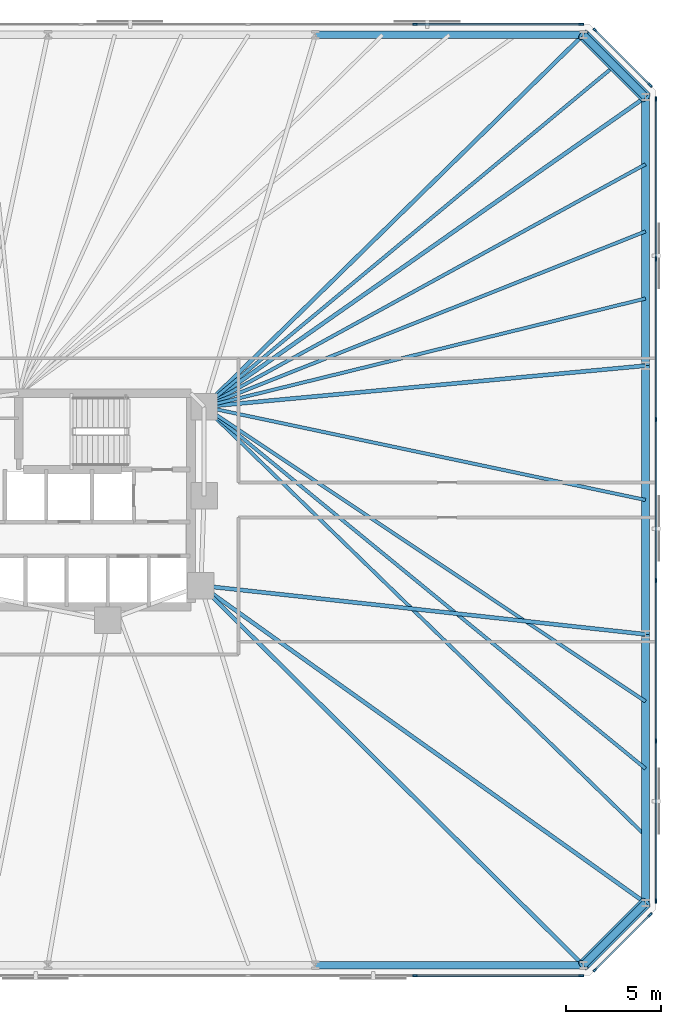
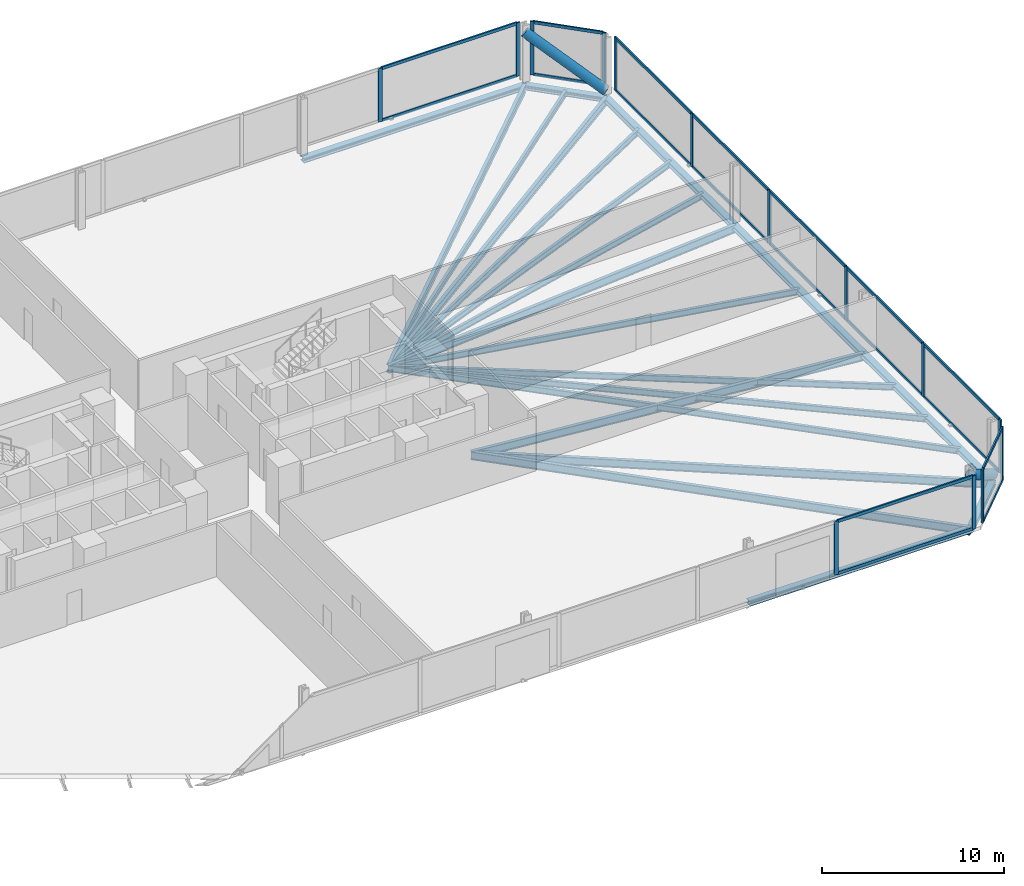
# One storey, part 10 of 16: 34 members, 21 beams, 5 elements without a shape of their own.
"""IFC4 building model written with IfcOpenShell, lengths in metres."""

from ifc_helpers import new_model, si_unit, direction, frame, origin, origin_2d, place, context, subcontext, project, spatial, rectangle, hollow_circle, i_section, extrude, material, material_profile, profile_set, type_object, element, aggregate, save


model = new_model("IFC4")

# Units and contexts
model_context = context("Model", 3, precision=1e-05, world=origin(), true_north=direction((0.0, 1.0)))
body_context = subcontext(model_context, "Body", "Model", "MODEL_VIEW")
ifc_project = project(units=[si_unit("LENGTHUNIT", "METRE"), si_unit("AREAUNIT", "SQUARE_METRE"), si_unit("VOLUMEUNIT", "CUBIC_METRE"), si_unit("PLANEANGLEUNIT", "RADIAN"), si_unit("MASSUNIT", "GRAM", prefix="KILO")], contexts=[model_context])

# Site, building, storey
site_placement = place(None, origin())
site = spatial("IfcSite", under=ifc_project, at=site_placement, CompositionType="ELEMENT")
building_placement = place(site_placement, origin())
building = spatial("IfcBuilding", under=site, at=building_placement, Name="Menara Jurai Vektor", CompositionType="ELEMENT")
storey_placement = place(building_placement, frame((0.0, 0.0, 14.199951171875)))
storey = spatial("IfcBuildingStorey", under=building, at=storey_placement, Name="L02", CompositionType="ELEMENT", Elevation=14.199951171875)

# Curtain wall, members
ifc_material_1 = material(Name="Anodised Pale Aluminium & Low-E Double Glazing", Category="aluminium")
curtain_wall_type = type_object("IfcCurtainWallType", Name="CW-BLK1", PredefinedType="NOTDEFINED", material=ifc_material_1)
curtain_wall_1_placement = place(storey_placement, origin())
curtain_wall_1 = element("IfcCurtainWall", 1, at=curtain_wall_1_placement, inside=storey, type_object=curtain_wall_type, Name="Unitised Curtain Wall L02 F01", PredefinedType="NOTDEFINED")
ifc_material_2 = material(Name="Anodised Pale Aluminium Mullion", Category="aluminium")
ifc_material_profile_1 = material_profile(ifc_material_2, rectangle(XDim=0.094970703125, YDim=0.239990234375, at=origin_2d()), Name="ALU MUL 95x240")
ifc_profile_set_1 = profile_set([ifc_material_profile_1], Name="Anodised Pale Aluminium Mullion")
member_type_1 = type_object("IfcMemberType", Name="CW-BLK1-MUL", PredefinedType="MULLION", material=ifc_profile_set_1)
member_1_placement = place(storey_placement, frame((26.340087890625, -25.0, 0.0), z_axis=(0.0, 0.0, 1.0), x_axis=(0.0, 1.0, 0.0)))
member_1 = element("IfcMember", 2, at=member_1_placement, type_object=member_type_1, Name="CW-01 mullion 8", PredefinedType="MULLION", context=body_context, shape_type="SweptSolid", body=[
    extrude(rectangle(XDim=0.094970703125, YDim=0.239990234375, at=origin_2d()), origin(), (0.0, 0.0, 1.0), 3.574951171875),
])
member_2_placement = place(storey_placement, frame((35.072509765625, -25.0, 0.0), z_axis=(0.0, 0.0, 1.0), x_axis=(0.0, 1.0, 0.0)))
member_2 = element("IfcMember", 3, at=member_2_placement, type_object=member_type_1, Name="CW-01 mullion 9", PredefinedType="MULLION", context=body_context, shape_type="SweptSolid", body=[
    extrude(rectangle(XDim=0.094970703125, YDim=0.239990234375, at=origin_2d()), origin(), (0.0, 0.0, 1.0), 3.574951171875),
])

curtain_wall_2_placement = place(storey_placement, origin())
curtain_wall_2 = element("IfcCurtainWall", 4, at=curtain_wall_2_placement, inside=storey, type_object=curtain_wall_type, Name="Unitised Curtain Wall L02 F02", PredefinedType="NOTDEFINED")
member_3_placement = place(storey_placement, frame((35.80224609375, -24.69775390625, 0.0), z_axis=(0.0, 0.0, 1.0), x_axis=(-0.707106781187, 0.707106781187, 0.0)))
member_3 = element("IfcMember", 5, at=member_3_placement, type_object=member_type_1, Name="CW-01 mullion 1", PredefinedType="MULLION", context=body_context, shape_type="SweptSolid", body=[
    extrude(rectangle(XDim=0.094970703125, YDim=0.239990234375, at=origin_2d()), origin(), (0.0, 0.0, 1.0), 3.574951171875),
])
member_4_placement = place(storey_placement, frame((38.69775390625, -21.80224609375, 0.0), z_axis=(0.0, 0.0, 1.0), x_axis=(-0.707106781187, 0.707106781187, 0.0)))
member_4 = element("IfcMember", 6, at=member_4_placement, type_object=member_type_1, Name="CW-01 mullion 2", PredefinedType="MULLION", context=body_context, shape_type="SweptSolid", body=[
    extrude(rectangle(XDim=0.094970703125, YDim=0.239990234375, at=origin_2d()), origin(), (0.0, 0.0, 1.0), 3.574951171875),
])

curtain_wall_3_placement = place(storey_placement, origin())
curtain_wall_3 = element("IfcCurtainWall", 7, at=curtain_wall_3_placement, inside=storey, type_object=curtain_wall_type, Name="Unitised Curtain Wall L02 F03", PredefinedType="NOTDEFINED")
member_5_placement = place(storey_placement, frame((39.0, -21.072509765625, 0.0), z_axis=(0.0, 0.0, 1.0), x_axis=(-1.0, 0.0, 0.0)))
member_5 = element("IfcMember", 8, at=member_5_placement, type_object=member_type_1, Name="CW-01 mullion 1", PredefinedType="MULLION", context=body_context, shape_type="SweptSolid", body=[
    extrude(rectangle(XDim=0.094970703125, YDim=0.239990234375, at=origin_2d()), origin(), (0.0, 0.0, 1.0), 3.574951171875),
])
member_6_placement = place(storey_placement, frame((39.0, -12.672119140625, 0.0), z_axis=(0.0, 0.0, 1.0), x_axis=(-1.0, 0.0, 0.0)))
member_6 = element("IfcMember", 9, at=member_6_placement, type_object=member_type_1, Name="CW-01 mullion 2", PredefinedType="MULLION", context=body_context, shape_type="SweptSolid", body=[
    extrude(rectangle(XDim=0.094970703125, YDim=0.239990234375, at=origin_2d()), origin(), (0.0, 0.0, 1.0), 3.574951171875),
])
member_7_placement = place(storey_placement, frame((39.0, -4.22412109375, 0.0), z_axis=(0.0, 0.0, 1.0), x_axis=(-1.0, 0.0, 0.0)))
member_7 = element("IfcMember", 10, at=member_7_placement, type_object=member_type_1, Name="CW-01 mullion 3", PredefinedType="MULLION", context=body_context, shape_type="SweptSolid", body=[
    extrude(rectangle(XDim=0.094970703125, YDim=0.239990234375, at=origin_2d()), origin(), (0.0, 0.0, 1.0), 3.574951171875),
])
member_8_placement = place(storey_placement, frame((39.0, 4.22412109375, 0.0), z_axis=(0.0, 0.0, 1.0), x_axis=(-1.0, 0.0, 0.0)))
member_8 = element("IfcMember", 11, at=member_8_placement, type_object=member_type_1, Name="CW-01 mullion 4", PredefinedType="MULLION", context=body_context, shape_type="SweptSolid", body=[
    extrude(rectangle(XDim=0.094970703125, YDim=0.239990234375, at=origin_2d()), origin(), (0.0, 0.0, 1.0), 3.574951171875),
])
member_9_placement = place(storey_placement, frame((39.0, 12.672119140625, 0.0), z_axis=(0.0, 0.0, 1.0), x_axis=(-1.0, 0.0, 0.0)))
member_9 = element("IfcMember", 12, at=member_9_placement, type_object=member_type_1, Name="CW-01 mullion 5", PredefinedType="MULLION", context=body_context, shape_type="SweptSolid", body=[
    extrude(rectangle(XDim=0.094970703125, YDim=0.239990234375, at=origin_2d()), origin(), (0.0, 0.0, 1.0), 3.574951171875),
])
member_10_placement = place(storey_placement, frame((39.0, 21.072509765625, 0.0), z_axis=(0.0, 0.0, 1.0), x_axis=(-1.0, 0.0, 0.0)))
member_10 = element("IfcMember", 13, at=member_10_placement, type_object=member_type_1, Name="CW-01 mullion 6", PredefinedType="MULLION", context=body_context, shape_type="SweptSolid", body=[
    extrude(rectangle(XDim=0.094970703125, YDim=0.239990234375, at=origin_2d()), origin(), (0.0, 0.0, 1.0), 3.574951171875),
])

curtain_wall_4_placement = place(storey_placement, origin())
curtain_wall_4 = element("IfcCurtainWall", 14, at=curtain_wall_4_placement, inside=storey, type_object=curtain_wall_type, Name="Unitised Curtain Wall L02 F04", PredefinedType="NOTDEFINED")
member_11_placement = place(storey_placement, frame((38.69775390625, 21.80224609375, 0.0), z_axis=(0.0, 0.0, 1.0), x_axis=(-0.707106781187, -0.707106781187, 0.0)))
member_11 = element("IfcMember", 15, at=member_11_placement, type_object=member_type_1, Name="CW-01 mullion 1", PredefinedType="MULLION", context=body_context, shape_type="SweptSolid", body=[
    extrude(rectangle(XDim=0.094970703125, YDim=0.239990234375, at=origin_2d()), origin(), (0.0, 0.0, 1.0), 3.574951171875),
])
member_12_placement = place(storey_placement, frame((35.80224609375, 24.69775390625, 0.0), z_axis=(0.0, 0.0, 1.0), x_axis=(-0.707106781187, -0.707106781187, 0.0)))
member_12 = element("IfcMember", 16, at=member_12_placement, type_object=member_type_1, Name="CW-01 mullion 2", PredefinedType="MULLION", context=body_context, shape_type="SweptSolid", body=[
    extrude(rectangle(XDim=0.094970703125, YDim=0.239990234375, at=origin_2d()), origin(), (0.0, 0.0, 1.0), 3.574951171875),
])

curtain_wall_5_placement = place(storey_placement, origin())
curtain_wall_5 = element("IfcCurtainWall", 17, at=curtain_wall_5_placement, inside=storey, type_object=curtain_wall_type, Name="Unitised Curtain Wall L02 F05", PredefinedType="NOTDEFINED")
member_13_placement = place(storey_placement, frame((35.072509765625, 25.0, 0.0), z_axis=(0.0, 0.0, 1.0), x_axis=(0.0, -1.0, 0.0)))
member_13 = element("IfcMember", 18, at=member_13_placement, type_object=member_type_1, Name="CW-01 mullion 1", PredefinedType="MULLION", context=body_context, shape_type="SweptSolid", body=[
    extrude(rectangle(XDim=0.094970703125, YDim=0.239990234375, at=origin_2d()), origin(), (0.0, 0.0, 1.0), 3.574951171875),
])
member_14_placement = place(storey_placement, frame((26.340087890625, 25.0, 0.0), z_axis=(0.0, 0.0, 1.0), x_axis=(0.0, -1.0, 0.0)))
member_14 = element("IfcMember", 19, at=member_14_placement, type_object=member_type_1, Name="CW-01 mullion 2", PredefinedType="MULLION", context=body_context, shape_type="SweptSolid", body=[
    extrude(rectangle(XDim=0.094970703125, YDim=0.239990234375, at=origin_2d()), origin(), (0.0, 0.0, 1.0), 3.574951171875),
])

# Member
ifc_material_3 = material(Name="Anodised Pale Aluminium Transom", Category="aluminium")
ifc_material_profile_2 = material_profile(ifc_material_3, rectangle(XDim=0.094970703125, YDim=0.199951171875, at=origin_2d()), Name="ALU TRN 95x200")
ifc_profile_set_2 = profile_set([ifc_material_profile_2], Name="Anodised Pale Aluminium Transom")
member_type_2 = type_object("IfcMemberType", Name="CW-BLK1-TRN", PredefinedType="USERDEFINED", material=ifc_profile_set_2)
member_15_placement = place(storey_placement, frame((26.387451171875, -25.0, 0.047607421875), z_axis=(1.0, 0.0, 0.0), x_axis=(0.0, 1.0, 0.0)))
member_15 = element("IfcMember", 20, at=member_15_placement, type_object=member_type_2, Name="CW-01 transom 8.1", ObjectType="TRANSOM", PredefinedType="USERDEFINED", context=body_context, shape_type="SweptSolid", body=[
    extrude(rectangle(XDim=0.094970703125, YDim=0.199951171875, at=origin_2d()), origin(), (0.0, 0.0, 1.0), 8.637451171875),
])

member_16_placement = place(storey_placement, frame((26.387451171875, -25.0, 3.527587890625), z_axis=(1.0, 0.0, 0.0), x_axis=(0.0, 1.0, 0.0)))
member_16 = element("IfcMember", 21, at=member_16_placement, type_object=member_type_2, Name="CW-01 transom 8.2", ObjectType="TRANSOM", PredefinedType="USERDEFINED", context=body_context, shape_type="SweptSolid", body=[
    extrude(rectangle(XDim=0.094970703125, YDim=0.199951171875, at=origin_2d()), origin(), (0.0, 0.0, 1.0), 8.637451171875),
])

aggregate(curtain_wall_1, [member_1, member_2, member_15, member_16])

member_17_placement = place(storey_placement, frame((35.8359375, -24.6640625, 0.047607421875), z_axis=(0.707106781187, 0.707106781187, 0.0), x_axis=(-0.707106781187, 0.707106781187, 0.0)))
member_17 = element("IfcMember", 22, at=member_17_placement, type_object=member_type_2, Name="CW-01 transom 1.1", ObjectType="TRANSOM", PredefinedType="USERDEFINED", context=body_context, shape_type="SweptSolid", body=[
    extrude(rectangle(XDim=0.094970703125, YDim=0.199951171875, at=origin_2d()), origin(), (0.0, 0.0, 1.0), 3.99951171875),
])

member_18_placement = place(storey_placement, frame((35.8359375, -24.6640625, 3.527587890625), z_axis=(0.707106781187, 0.707106781187, 0.0), x_axis=(-0.707106781187, 0.707106781187, 0.0)))
member_18 = element("IfcMember", 23, at=member_18_placement, type_object=member_type_2, Name="CW-01 transom 1.2", ObjectType="TRANSOM", PredefinedType="USERDEFINED", context=body_context, shape_type="SweptSolid", body=[
    extrude(rectangle(XDim=0.094970703125, YDim=0.199951171875, at=origin_2d()), origin(), (0.0, 0.0, 1.0), 3.99951171875),
])

aggregate(curtain_wall_2, [member_3, member_4, member_17, member_18])

member_19_placement = place(storey_placement, frame((39.0, -21.02490234375, 0.047607421875), z_axis=(0.0, 1.0, 0.0), x_axis=(-1.0, 0.0, 0.0)))
member_19 = element("IfcMember", 24, at=member_19_placement, type_object=member_type_2, Name="CW-01 transom 1.1", ObjectType="TRANSOM", PredefinedType="USERDEFINED", context=body_context, shape_type="SweptSolid", body=[
    extrude(rectangle(XDim=0.094970703125, YDim=0.199951171875, at=origin_2d()), origin(), (0.0, 0.0, 1.0), 8.305419921875),
])

member_20_placement = place(storey_placement, frame((39.0, -21.02490234375, 3.527587890625), z_axis=(0.0, 1.0, 0.0), x_axis=(-1.0, 0.0, 0.0)))
member_20 = element("IfcMember", 25, at=member_20_placement, type_object=member_type_2, Name="CW-01 transom 1.2", ObjectType="TRANSOM", PredefinedType="USERDEFINED", context=body_context, shape_type="SweptSolid", body=[
    extrude(rectangle(XDim=0.094970703125, YDim=0.199951171875, at=origin_2d()), origin(), (0.0, 0.0, 1.0), 8.305419921875),
])

member_21_placement = place(storey_placement, frame((39.0, -12.62451171875, 0.047607421875), z_axis=(0.0, 1.0, 0.0), x_axis=(-1.0, 0.0, 0.0)))
member_21 = element("IfcMember", 26, at=member_21_placement, type_object=member_type_2, Name="CW-01 transom 2.1", ObjectType="TRANSOM", PredefinedType="USERDEFINED", context=body_context, shape_type="SweptSolid", body=[
    extrude(rectangle(XDim=0.094970703125, YDim=0.199951171875, at=origin_2d()), origin(), (0.0, 0.0, 1.0), 8.35302734375),
])

member_22_placement = place(storey_placement, frame((39.0, -12.62451171875, 3.527587890625), z_axis=(0.0, 1.0, 0.0), x_axis=(-1.0, 0.0, 0.0)))
member_22 = element("IfcMember", 27, at=member_22_placement, type_object=member_type_2, Name="CW-01 transom 2.2", ObjectType="TRANSOM", PredefinedType="USERDEFINED", context=body_context, shape_type="SweptSolid", body=[
    extrude(rectangle(XDim=0.094970703125, YDim=0.199951171875, at=origin_2d()), origin(), (0.0, 0.0, 1.0), 8.35302734375),
])

member_23_placement = place(storey_placement, frame((39.0, -4.176513671875, 0.047607421875), z_axis=(0.0, 1.0, 0.0), x_axis=(-1.0, 0.0, 0.0)))
member_23 = element("IfcMember", 28, at=member_23_placement, type_object=member_type_2, Name="CW-01 transom 3.1", ObjectType="TRANSOM", PredefinedType="USERDEFINED", context=body_context, shape_type="SweptSolid", body=[
    extrude(rectangle(XDim=0.094970703125, YDim=0.199951171875, at=origin_2d()), origin(), (0.0, 0.0, 1.0), 8.35302734375),
])

member_24_placement = place(storey_placement, frame((39.0, -4.176513671875, 3.527587890625), z_axis=(0.0, 1.0, 0.0), x_axis=(-1.0, 0.0, 0.0)))
member_24 = element("IfcMember", 29, at=member_24_placement, type_object=member_type_2, Name="CW-01 transom 3.2", ObjectType="TRANSOM", PredefinedType="USERDEFINED", context=body_context, shape_type="SweptSolid", body=[
    extrude(rectangle(XDim=0.094970703125, YDim=0.199951171875, at=origin_2d()), origin(), (0.0, 0.0, 1.0), 8.35302734375),
])

member_25_placement = place(storey_placement, frame((39.0, 4.271484375, 0.047607421875), z_axis=(0.0, 1.0, 0.0), x_axis=(-1.0, 0.0, 0.0)))
member_25 = element("IfcMember", 30, at=member_25_placement, type_object=member_type_2, Name="CW-01 transom 4.1", ObjectType="TRANSOM", PredefinedType="USERDEFINED", context=body_context, shape_type="SweptSolid", body=[
    extrude(rectangle(XDim=0.094970703125, YDim=0.199951171875, at=origin_2d()), origin(), (0.0, 0.0, 1.0), 8.35302734375),
])

member_26_placement = place(storey_placement, frame((39.0, 4.271484375, 3.527587890625), z_axis=(0.0, 1.0, 0.0), x_axis=(-1.0, 0.0, 0.0)))
member_26 = element("IfcMember", 31, at=member_26_placement, type_object=member_type_2, Name="CW-01 transom 4.2", ObjectType="TRANSOM", PredefinedType="USERDEFINED", context=body_context, shape_type="SweptSolid", body=[
    extrude(rectangle(XDim=0.094970703125, YDim=0.199951171875, at=origin_2d()), origin(), (0.0, 0.0, 1.0), 8.35302734375),
])

member_27_placement = place(storey_placement, frame((39.0, 12.719482421875, 0.047607421875), z_axis=(0.0, 1.0, 0.0), x_axis=(-1.0, 0.0, 0.0)))
member_27 = element("IfcMember", 32, at=member_27_placement, type_object=member_type_2, Name="CW-01 transom 5.1", ObjectType="TRANSOM", PredefinedType="USERDEFINED", context=body_context, shape_type="SweptSolid", body=[
    extrude(rectangle(XDim=0.094970703125, YDim=0.199951171875, at=origin_2d()), origin(), (0.0, 0.0, 1.0), 8.305419921875),
])

member_28_placement = place(storey_placement, frame((39.0, 12.719482421875, 3.527587890625), z_axis=(0.0, 1.0, 0.0), x_axis=(-1.0, 0.0, 0.0)))
member_28 = element("IfcMember", 33, at=member_28_placement, type_object=member_type_2, Name="CW-01 transom 5.2", ObjectType="TRANSOM", PredefinedType="USERDEFINED", context=body_context, shape_type="SweptSolid", body=[
    extrude(rectangle(XDim=0.094970703125, YDim=0.199951171875, at=origin_2d()), origin(), (0.0, 0.0, 1.0), 8.305419921875),
])

aggregate(curtain_wall_3, [member_5, member_6, member_7, member_8, member_9, member_10, member_19, member_20, member_21, member_22, member_23, member_24, member_25, member_26, member_27, member_28])

member_29_placement = place(storey_placement, frame((38.6640625, 21.8359375, 0.047607421875), z_axis=(-0.707106781187, 0.707106781187, 0.0), x_axis=(-0.707106781187, -0.707106781187, 0.0)))
member_29 = element("IfcMember", 34, at=member_29_placement, type_object=member_type_2, Name="CW-01 transom 1.1", ObjectType="TRANSOM", PredefinedType="USERDEFINED", context=body_context, shape_type="SweptSolid", body=[
    extrude(rectangle(XDim=0.094970703125, YDim=0.199951171875, at=origin_2d()), origin(), (0.0, 0.0, 1.0), 3.99951171875),
])

member_30_placement = place(storey_placement, frame((38.6640625, 21.8359375, 3.527587890625), z_axis=(-0.707106781187, 0.707106781187, 0.0), x_axis=(-0.707106781187, -0.707106781187, 0.0)))
member_30 = element("IfcMember", 35, at=member_30_placement, type_object=member_type_2, Name="CW-01 transom 1.2", ObjectType="TRANSOM", PredefinedType="USERDEFINED", context=body_context, shape_type="SweptSolid", body=[
    extrude(rectangle(XDim=0.094970703125, YDim=0.199951171875, at=origin_2d()), origin(), (0.0, 0.0, 1.0), 3.99951171875),
])

aggregate(curtain_wall_4, [member_11, member_12, member_29, member_30])

member_31_placement = place(storey_placement, frame((35.02490234375, 25.0, 0.047607421875), z_axis=(-1.0, 0.0, 0.0), x_axis=(0.0, -1.0, 0.0)))
member_31 = element("IfcMember", 36, at=member_31_placement, type_object=member_type_2, Name="CW-01 transom 1.1", ObjectType="TRANSOM", PredefinedType="USERDEFINED", context=body_context, shape_type="SweptSolid", body=[
    extrude(rectangle(XDim=0.094970703125, YDim=0.199951171875, at=origin_2d()), origin(), (0.0, 0.0, 1.0), 8.637451171875),
])

member_32_placement = place(storey_placement, frame((35.02490234375, 25.0, 3.527587890625), z_axis=(-1.0, 0.0, 0.0), x_axis=(0.0, -1.0, 0.0)))
member_32 = element("IfcMember", 37, at=member_32_placement, type_object=member_type_2, Name="CW-01 transom 1.2", ObjectType="TRANSOM", PredefinedType="USERDEFINED", context=body_context, shape_type="SweptSolid", body=[
    extrude(rectangle(XDim=0.094970703125, YDim=0.199951171875, at=origin_2d()), origin(), (0.0, 0.0, 1.0), 8.637451171875),
])

aggregate(curtain_wall_5, [member_13, member_14, member_31, member_32])

# Beams
ifc_material_4 = material(Name="Steel S355", Category="steel")
ifc_material_profile_3 = material_profile(ifc_material_4, i_section(OverallWidth=0.2109375, OverallDepth=0.5390625, WebThickness=0.011962890625, FlangeThickness=0.01904296875, FilletRadius=0.012939453125, at=origin_2d()), Name="UKB 533x210x109")
ifc_profile_set_3 = profile_set([ifc_material_profile_3], Name="Steel S355")
beam_type_1 = type_object("IfcBeamType", Name="STR-BM-533", PredefinedType="BEAM", material=ifc_profile_set_3)
beam_1_placement = place(storey_placement, frame((35.177734375, -24.449951171875, -0.494384765625), z_axis=(-0.709709931659, 0.704494011972, 0.0), x_axis=(-0.704494011972, -0.709709931659, 0.0)))
element("IfcBeam", 38, at=beam_1_placement, inside=storey, type_object=beam_type_1, Name="Radial Floor Girder L02-S6", PredefinedType="BEAM", context=body_context, shape_type="SweptSolid", body=[
    extrude(i_section(OverallWidth=0.2109375, OverallDepth=0.5390625, WebThickness=0.011962890625, FlangeThickness=0.01904296875, FilletRadius=0.012939453125, at=origin_2d()), origin(), (0.0, 0.0, 1.0), 28.318115234375),
])
beam_2_placement = place(storey_placement, frame((38.449951171875, -21.177734375, -0.494384765625), z_axis=(-0.813981033216, 0.580891450759, 0.0), x_axis=(-0.580891450759, -0.813981033216, 0.0)))
element("IfcBeam", 39, at=beam_2_placement, inside=storey, type_object=beam_type_1, Name="Radial Floor Girder L02-E1", PredefinedType="BEAM", context=body_context, shape_type="SweptSolid", body=[
    extrude(i_section(OverallWidth=0.2109375, OverallDepth=0.5390625, WebThickness=0.011962890625, FlangeThickness=0.01904296875, FilletRadius=0.012939453125, at=origin_2d()), origin(), (0.0, 0.0, 1.0), 28.710693359375),
])
beam_3_placement = place(storey_placement, frame((38.449951171875, -7.059326171875, -0.494384765625), z_axis=(-0.994056757953, 0.108863042253, 0.0), x_axis=(-0.108863042253, -0.994056757953, 0.0)))
element("IfcBeam", 40, at=beam_3_placement, inside=storey, type_object=beam_type_1, Name="Radial Floor Girder L02-E2", PredefinedType="BEAM", context=body_context, shape_type="SweptSolid", body=[
    extrude(i_section(OverallWidth=0.2109375, OverallDepth=0.5390625, WebThickness=0.011962890625, FlangeThickness=0.01904296875, FilletRadius=0.012939453125, at=origin_2d()), origin(), (0.0, 0.0, 1.0), 23.509521484375),
])
beam_4_placement = place(storey_placement, frame((38.449951171875, 7.059326171875, -0.494384765625), z_axis=(-0.995696113112, -0.092678208514, 0.0), x_axis=(0.092678208514, -0.995696113112, 0.0)))
element("IfcBeam", 41, at=beam_4_placement, inside=storey, type_object=beam_type_1, Name="Radial Floor Girder L02-E3", PredefinedType="BEAM", context=body_context, shape_type="SweptSolid", body=[
    extrude(i_section(OverallWidth=0.2109375, OverallDepth=0.5390625, WebThickness=0.011962890625, FlangeThickness=0.01904296875, FilletRadius=0.012939453125, at=origin_2d()), origin(), (0.0, 0.0, 1.0), 23.30029296875),
])
beam_5_placement = place(storey_placement, frame((38.449951171875, 21.177734375, -0.494384765625), z_axis=(-0.818603732445, -0.574358711283, 0.0), x_axis=(0.574358711283, -0.818603732445, 0.0)))
element("IfcBeam", 42, at=beam_5_placement, inside=storey, type_object=beam_type_1, Name="Radial Floor Girder L02-E4", PredefinedType="BEAM", context=body_context, shape_type="SweptSolid", body=[
    extrude(i_section(OverallWidth=0.2109375, OverallDepth=0.5390625, WebThickness=0.011962890625, FlangeThickness=0.01904296875, FilletRadius=0.012939453125, at=origin_2d()), origin(), (0.0, 0.0, 1.0), 28.3408203125),
])
beam_6_placement = place(storey_placement, frame((35.177734375, 24.449951171875, -0.494384765625), z_axis=(-0.713839032855, -0.700309813706, 0.0), x_axis=(0.700309813706, -0.713839032855, 0.0)))
element("IfcBeam", 43, at=beam_6_placement, inside=storey, type_object=beam_type_1, Name="Radial Floor Girder L02-N1", PredefinedType="BEAM", context=body_context, shape_type="SweptSolid", body=[
    extrude(i_section(OverallWidth=0.2109375, OverallDepth=0.5390625, WebThickness=0.011962890625, FlangeThickness=0.01904296875, FilletRadius=0.012939453125, at=origin_2d()), origin(), (0.0, 0.0, 1.0), 27.916259765625),
])
ifc_material_5 = material(Name="Steel S460", Category="steel")
ifc_material_profile_4 = material_profile(ifc_material_5, i_section(OverallWidth=0.39697265625, OverallDepth=0.31591796875, WebThickness=0.030029296875, FlangeThickness=0.048095703125, FilletRadius=0.014892578125, at=origin_2d()), Name="HD 400x382")
ifc_profile_set_4 = profile_set([ifc_material_profile_4], Name="Steel S460")
beam_type_2 = type_object("IfcBeamType", Name="STR-BM-CHORD382", PredefinedType="SPANDREL", material=ifc_profile_set_4)
beam_7_placement = place(storey_placement, frame((21.106689453125, -24.449951171875, -0.383056640625), z_axis=(1.0, 0.0, 0.0), x_axis=(0.0, 1.0, 0.0)))
element("IfcBeam", 44, at=beam_7_placement, inside=storey, type_object=beam_type_2, Name="Exoskeleton Spandrel Beam L02-05", PredefinedType="SPANDREL", context=body_context, shape_type="SweptSolid", body=[
    extrude(i_section(OverallWidth=0.39697265625, OverallDepth=0.31591796875, WebThickness=0.030029296875, FlangeThickness=0.048095703125, FilletRadius=0.014892578125, at=origin_2d()), origin(), (0.0, 0.0, 1.0), 14.071044921875),
])
beam_8_placement = place(storey_placement, frame((35.177734375, -24.449951171875, -0.383056640625), z_axis=(0.707106781187, 0.707106781187, 0.0), x_axis=(-0.707106781187, 0.707106781187, 0.0)))
element("IfcBeam", 45, at=beam_8_placement, inside=storey, type_object=beam_type_2, Name="Exoskeleton Spandrel Beam L02-06", PredefinedType="SPANDREL", context=body_context, shape_type="SweptSolid", body=[
    extrude(i_section(OverallWidth=0.39697265625, OverallDepth=0.31591796875, WebThickness=0.030029296875, FlangeThickness=0.048095703125, FilletRadius=0.014892578125, at=origin_2d()), origin(), (0.0, 0.0, 1.0), 4.627685546875),
])
beam_9_placement = place(storey_placement, frame((38.449951171875, -21.177734375, -0.383056640625), z_axis=(0.0, 1.0, 0.0), x_axis=(-1.0, 0.0, 0.0)))
element("IfcBeam", 46, at=beam_9_placement, inside=storey, type_object=beam_type_2, Name="Exoskeleton Spandrel Beam L02-07", PredefinedType="SPANDREL", context=body_context, shape_type="SweptSolid", body=[
    extrude(i_section(OverallWidth=0.39697265625, OverallDepth=0.31591796875, WebThickness=0.030029296875, FlangeThickness=0.048095703125, FilletRadius=0.014892578125, at=origin_2d()), origin(), (0.0, 0.0, 1.0), 14.118408203125),
])
beam_10_placement = place(storey_placement, frame((38.449951171875, -7.059326171875, -0.383056640625), z_axis=(0.0, 1.0, 0.0), x_axis=(-1.0, 0.0, 0.0)))
element("IfcBeam", 47, at=beam_10_placement, inside=storey, type_object=beam_type_2, Name="Exoskeleton Spandrel Beam L02-08", PredefinedType="SPANDREL", context=body_context, shape_type="SweptSolid", body=[
    extrude(i_section(OverallWidth=0.39697265625, OverallDepth=0.31591796875, WebThickness=0.030029296875, FlangeThickness=0.048095703125, FilletRadius=0.014892578125, at=origin_2d()), origin(), (0.0, 0.0, 1.0), 14.11865234375),
])
beam_11_placement = place(storey_placement, frame((38.449951171875, 7.059326171875, -0.383056640625), z_axis=(0.0, 1.0, 0.0), x_axis=(-1.0, 0.0, 0.0)))
element("IfcBeam", 48, at=beam_11_placement, inside=storey, type_object=beam_type_2, Name="Exoskeleton Spandrel Beam L02-09", PredefinedType="SPANDREL", context=body_context, shape_type="SweptSolid", body=[
    extrude(i_section(OverallWidth=0.39697265625, OverallDepth=0.31591796875, WebThickness=0.030029296875, FlangeThickness=0.048095703125, FilletRadius=0.014892578125, at=origin_2d()), origin(), (0.0, 0.0, 1.0), 14.118408203125),
])
beam_12_placement = place(storey_placement, frame((38.449951171875, 21.177734375, -0.383056640625), z_axis=(-0.707106781187, 0.707106781187, 0.0), x_axis=(-0.707106781187, -0.707106781187, 0.0)))
element("IfcBeam", 49, at=beam_12_placement, inside=storey, type_object=beam_type_2, Name="Exoskeleton Spandrel Beam L02-10", PredefinedType="SPANDREL", context=body_context, shape_type="SweptSolid", body=[
    extrude(i_section(OverallWidth=0.39697265625, OverallDepth=0.31591796875, WebThickness=0.030029296875, FlangeThickness=0.048095703125, FilletRadius=0.014892578125, at=origin_2d()), origin(), (0.0, 0.0, 1.0), 4.627685546875),
])
beam_13_placement = place(storey_placement, frame((35.177734375, 24.449951171875, -0.383056640625), z_axis=(-1.0, 0.0, 0.0), x_axis=(0.0, -1.0, 0.0)))
element("IfcBeam", 50, at=beam_13_placement, inside=storey, type_object=beam_type_2, Name="Exoskeleton Spandrel Beam L02-11", PredefinedType="SPANDREL", context=body_context, shape_type="SweptSolid", body=[
    extrude(i_section(OverallWidth=0.39697265625, OverallDepth=0.31591796875, WebThickness=0.030029296875, FlangeThickness=0.048095703125, FilletRadius=0.014892578125, at=origin_2d()), origin(), (0.0, 0.0, 1.0), 14.071044921875),
])

# Members
ifc_material_profile_5 = material_profile(ifc_material_5, hollow_circle(Radius=0.304931640625, WallThickness=0.02490234375, at=origin_2d()), Name="CHS 610x25")
ifc_profile_set_5 = profile_set([ifc_material_profile_5], Name="Steel S460")
member_type_3 = type_object("IfcMemberType", Name="STR-BR-610", PredefinedType="BRACE", material=ifc_profile_set_5)
for number, where, z_axis, x_axis, name in (
    (51, (38.449951171875, -21.177734375, 0.150146484375), (-0.588942422958, -0.588942422958, 0.553438022619), (0.707106781187, -0.707106781187, 0.0), "Exoskeleton Corner Brace L02-1"),
    (52, (38.449951171875, 21.177734375, 0.150146484375), (-0.588942422958, 0.588942422958, 0.553438022619), (-0.707106781187, -0.707106781187, 0.0), "Exoskeleton Corner Brace L02-2"),
):
    element("IfcMember", number, at=place(storey_placement, frame(where, z_axis=z_axis, x_axis=x_axis)), inside=storey, type_object=member_type_3, Name=name, PredefinedType="BRACE", context=body_context, shape_type="SweptSolid", body=[
        extrude(hollow_circle(Radius=0.304931640625, WallThickness=0.02490234375, at=origin_2d()), origin(), (0.0, 0.0, 1.0), 5.55615234375),
    ])

# Beams
ifc_material_profile_6 = material_profile(ifc_material_4, i_section(OverallWidth=0.178955078125, OverallDepth=0.408935546875, WebThickness=0.009033203125, FlangeThickness=0.013916015625, FilletRadius=0.010009765625, at=origin_2d()), Name="UKB 406x178x67")
ifc_profile_set_6 = profile_set([ifc_material_profile_6], Name="Steel S355")
beam_type_3 = type_object("IfcBeamType", Name="STR-JS-406", PredefinedType="JOIST", material=ifc_profile_set_6)
beam_14_placement = place(storey_placement, frame((38.449951171875, -17.648193359375, -0.429443359375), z_axis=(-0.71710942187, 0.696960599363, 0.0), x_axis=(-0.696960599363, -0.71710942187, 0.0)))
element("IfcBeam", 53, at=beam_14_placement, inside=storey, type_object=beam_type_3, Name="Radial Secondary Floor Joist L02-JS08", PredefinedType="JOIST", context=body_context, shape_type="SweptSolid", body=[
    extrude(i_section(OverallWidth=0.178955078125, OverallDepth=0.408935546875, WebThickness=0.009033203125, FlangeThickness=0.013916015625, FilletRadius=0.010009765625, at=origin_2d()), origin(), (0.0, 0.0, 1.0), 32.35205078125),
])
beam_15_placement = place(storey_placement, frame((38.449951171875, -14.118408203125, -0.429443359375), z_axis=(-0.773360118456, 0.633966976413, 0.0), x_axis=(-0.633966976413, -0.773360118456, 0.0)))
element("IfcBeam", 54, at=beam_15_placement, inside=storey, type_object=beam_type_3, Name="Radial Secondary Floor Joist L02-JS09", PredefinedType="JOIST", context=body_context, shape_type="SweptSolid", body=[
    extrude(i_section(OverallWidth=0.178955078125, OverallDepth=0.408935546875, WebThickness=0.009033203125, FlangeThickness=0.013916015625, FilletRadius=0.010009765625, at=origin_2d()), origin(), (0.0, 0.0, 1.0), 29.998779296875),
])
beam_16_placement = place(storey_placement, frame((38.449951171875, -10.5888671875, -0.429443359375), z_axis=(-0.831683872109, 0.555249436627, 0.0), x_axis=(-0.555249436627, -0.831683872109, 0.0)))
element("IfcBeam", 55, at=beam_16_placement, inside=storey, type_object=beam_type_3, Name="Radial Secondary Floor Joist L02-JS10", PredefinedType="JOIST", context=body_context, shape_type="SweptSolid", body=[
    extrude(i_section(OverallWidth=0.178955078125, OverallDepth=0.408935546875, WebThickness=0.009033203125, FlangeThickness=0.013916015625, FilletRadius=0.010009765625, at=origin_2d()), origin(), (0.0, 0.0, 1.0), 27.895263671875),
])
beam_17_placement = place(storey_placement, frame((38.449951171875, 0.0, -0.429443359375), z_axis=(-0.978416084102, 0.206644541109, 0.0), x_axis=(-0.206644541109, -0.978416084102, 0.0)))
element("IfcBeam", 56, at=beam_17_placement, inside=storey, type_object=beam_type_3, Name="Radial Secondary Floor Joist L02-JS11", PredefinedType="JOIST", context=body_context, shape_type="SweptSolid", body=[
    extrude(i_section(OverallWidth=0.178955078125, OverallDepth=0.408935546875, WebThickness=0.009033203125, FlangeThickness=0.013916015625, FilletRadius=0.010009765625, at=origin_2d()), origin(), (0.0, 0.0, 1.0), 23.711669921875),
])
beam_18_placement = place(storey_placement, frame((38.449951171875, 10.5888671875, -0.429443359375), z_axis=(-0.971226234641, -0.238158772976, 0.0), x_axis=(0.238158772976, -0.971226234641, 0.0)))
element("IfcBeam", 57, at=beam_18_placement, inside=storey, type_object=beam_type_3, Name="Radial Secondary Floor Joist L02-JS12", PredefinedType="JOIST", context=body_context, shape_type="SweptSolid", body=[
    extrude(i_section(OverallWidth=0.178955078125, OverallDepth=0.408935546875, WebThickness=0.009033203125, FlangeThickness=0.013916015625, FilletRadius=0.010009765625, at=origin_2d()), origin(), (0.0, 0.0, 1.0), 23.88720703125),
])
beam_19_placement = place(storey_placement, frame((38.449951171875, 14.118408203125, -0.429443359375), z_axis=(-0.929323400723, -0.369266864027, 0.0), x_axis=(0.369266864027, -0.929323400723, 0.0)))
element("IfcBeam", 58, at=beam_19_placement, inside=storey, type_object=beam_type_3, Name="Radial Secondary Floor Joist L02-JS13", PredefinedType="JOIST", context=body_context, shape_type="SweptSolid", body=[
    extrude(i_section(OverallWidth=0.178955078125, OverallDepth=0.408935546875, WebThickness=0.009033203125, FlangeThickness=0.013916015625, FilletRadius=0.010009765625, at=origin_2d()), origin(), (0.0, 0.0, 1.0), 24.96435546875),
])
beam_20_placement = place(storey_placement, frame((38.449951171875, 17.648193359375, -0.429443359375), z_axis=(-0.87640219057, -0.481579900291, 0.0), x_axis=(0.481579900291, -0.87640219057, 0.0)))
element("IfcBeam", 59, at=beam_20_placement, inside=storey, type_object=beam_type_3, Name="Radial Secondary Floor Joist L02-JS14", PredefinedType="JOIST", context=body_context, shape_type="SweptSolid", body=[
    extrude(i_section(OverallWidth=0.178955078125, OverallDepth=0.408935546875, WebThickness=0.009033203125, FlangeThickness=0.013916015625, FilletRadius=0.010009765625, at=origin_2d()), origin(), (0.0, 0.0, 1.0), 26.471923828125),
])
beam_21_placement = place(storey_placement, frame((36.81396484375, 22.81396484375, -0.429443359375), z_axis=(-0.769201173096, -0.639006694259, 0.0), x_axis=(0.639006694259, -0.769201173096, 0.0)))
element("IfcBeam", 60, at=beam_21_placement, inside=storey, type_object=beam_type_3, Name="Radial Secondary Floor Joist L02-JS15", PredefinedType="JOIST", context=body_context, shape_type="SweptSolid", body=[
    extrude(i_section(OverallWidth=0.178955078125, OverallDepth=0.408935546875, WebThickness=0.009033203125, FlangeThickness=0.013916015625, FilletRadius=0.010009765625, at=origin_2d()), origin(), (0.0, 0.0, 1.0), 28.0341796875),
])

save(model, "model.ifc")
